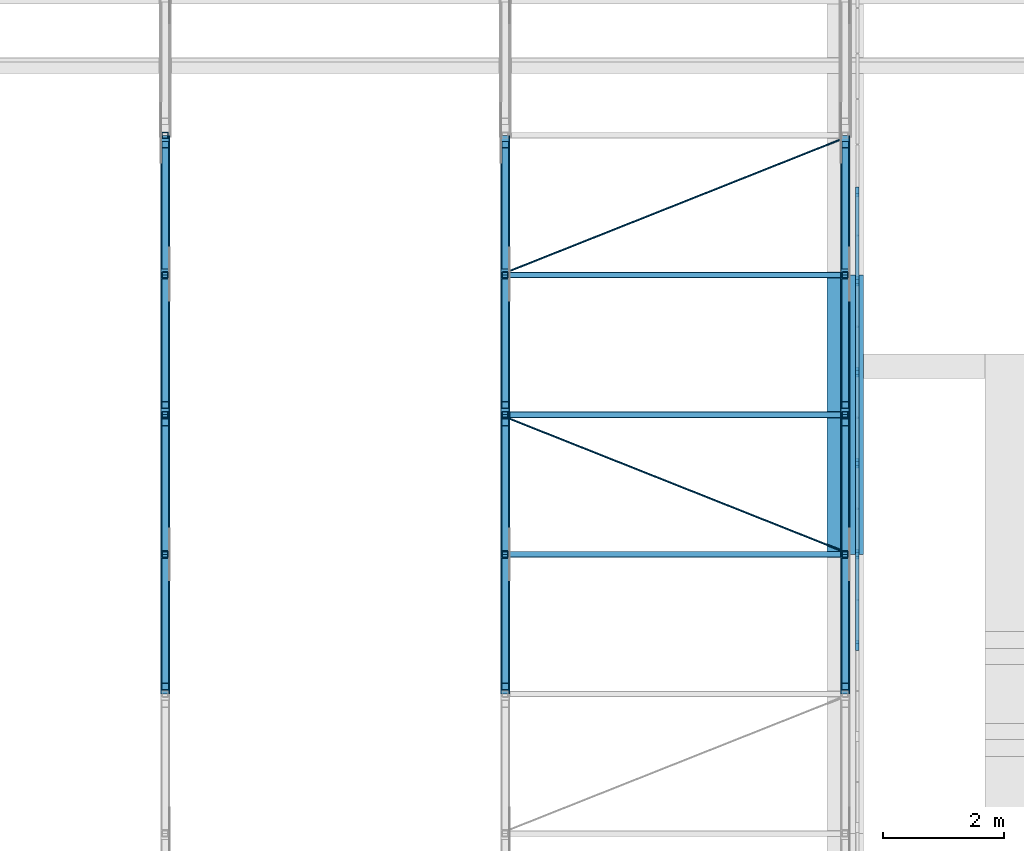
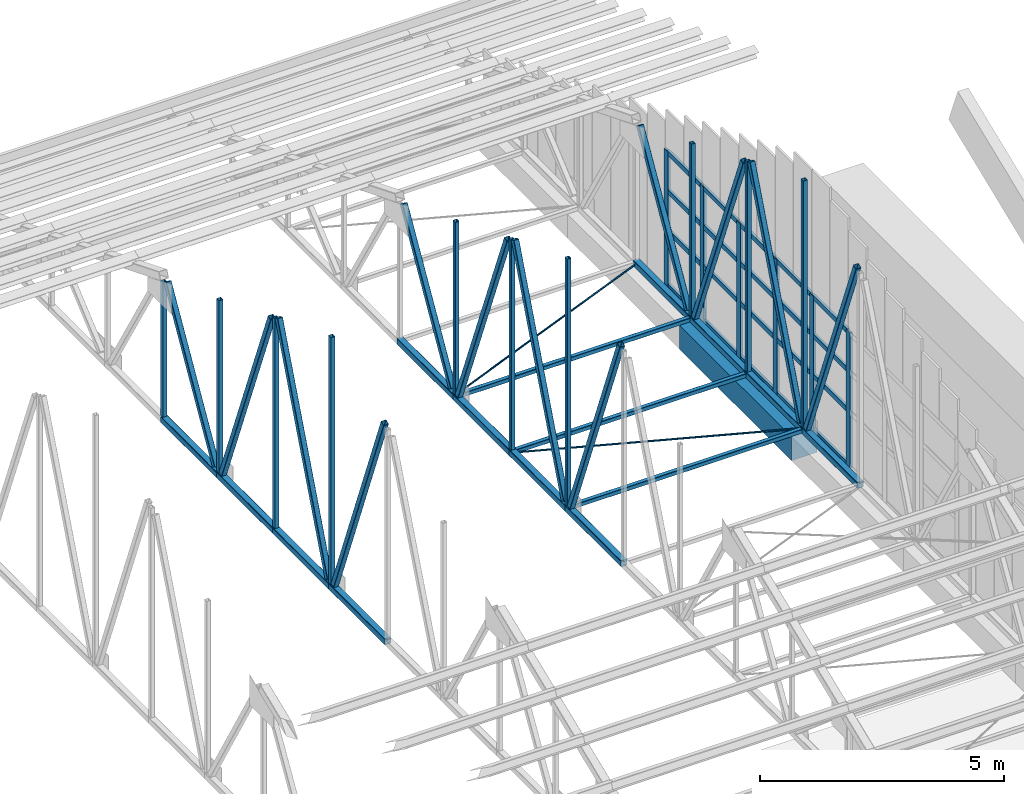
# One storey, part 25 of 71: 65 members, 1 beam, 1 element without a shape of its own.
"""IFC4 building model written with IfcOpenShell, lengths in metres."""

from ifc_helpers import new_model, si_unit, direction, frame, origin, origin_2d, place, context, subcontext, project, spatial, rectangle, hollow_rectangle, circle, extrude, material, layer, layer_set, material_profile, profile_set, type_object, element, aggregate, save


model = new_model("IFC4")

# Units and contexts
model_context = context("Model", 3, precision=1e-05, world=origin(), true_north=direction((0.0, 1.0)))
body_context = subcontext(model_context, "Body", "Model", "MODEL_VIEW")
ifc_project = project(units=[si_unit("LENGTHUNIT", "METRE"), si_unit("AREAUNIT", "SQUARE_METRE"), si_unit("VOLUMEUNIT", "CUBIC_METRE"), si_unit("PLANEANGLEUNIT", "RADIAN"), si_unit("MASSUNIT", "GRAM", prefix="KILO")], contexts=[model_context])

# Site, building, storey
site_placement = place(None, origin())
site = spatial("IfcSite", under=ifc_project, at=site_placement, CompositionType="ELEMENT")
building_placement = place(site_placement, origin())
building = spatial("IfcBuilding", under=site, at=building_placement, Name="Wasatch Bagh Community Centre", CompositionType="ELEMENT")
storey_placement = place(building_placement, frame((0.0, 0.0, 12.60009765625)))
storey = spatial("IfcBuildingStorey", under=building, at=storey_placement, Name="L03", CompositionType="ELEMENT", Elevation=12.60009765625)

# Members
ifc_material_1 = material(Name="ASTM A500 Grade C steel", Category="steel")
ifc_material_profile_1 = material_profile(ifc_material_1, hollow_rectangle(XDim=0.1015625, YDim=0.1015625, WallThickness=0.005859375, InnerFilletRadius=0.005859375, OuterFilletRadius=0.01171875, at=origin_2d()), Name="HSS4x4x1/4")
ifc_profile_set_1 = profile_set([ifc_material_profile_1], Name="ASTM A500 Grade C steel")
member_type_1 = type_object("IfcMemberType", Name="SH HSS4x4x1/4 post", PredefinedType="POST", material=ifc_profile_set_1)
member_1_placement = place(storey_placement, frame((134.60009765625, 52.0, 0.76220703125), z_axis=(0.0, 0.0, 1.0), x_axis=(1.0, 0.0, 0.0)))
element("IfcMember", 1, at=member_1_placement, inside=storey, type_object=member_type_1, Name="SH.SA5.PS07", PredefinedType="POST", context=body_context, shape_type="SweptSolid", body=[
    extrude(hollow_rectangle(XDim=0.1015625, YDim=0.1015625, WallThickness=0.005859375, InnerFilletRadius=0.005859375, OuterFilletRadius=0.01171875, at=origin_2d()), origin(), (0.0, 0.0, 1.0), 6.18310546875),
])
member_2_placement = place(storey_placement, frame((134.60009765625, 54.300048828125, 0.76220703125), z_axis=(0.0, 0.0, 1.0), x_axis=(1.0, 0.0, 0.0)))
element("IfcMember", 2, at=member_2_placement, inside=storey, type_object=member_type_1, Name="SH.SA5.PS08", PredefinedType="POST", context=body_context, shape_type="SweptSolid", body=[
    extrude(hollow_rectangle(XDim=0.1015625, YDim=0.1015625, WallThickness=0.005859375, InnerFilletRadius=0.005859375, OuterFilletRadius=0.01171875, at=origin_2d()), origin(), (0.0, 0.0, 1.0), 5.25341796875),
])
member_3_placement = place(storey_placement, frame((134.60009765625, 56.60009765625, 0.76220703125), z_axis=(0.0, 0.0, 1.0), x_axis=(1.0, 0.0, 0.0)))
element("IfcMember", 3, at=member_3_placement, inside=storey, type_object=member_type_1, Name="SH.SA5.PS09", PredefinedType="POST", context=body_context, shape_type="SweptSolid", body=[
    extrude(hollow_rectangle(XDim=0.1015625, YDim=0.1015625, WallThickness=0.005859375, InnerFilletRadius=0.005859375, OuterFilletRadius=0.01171875, at=origin_2d()), origin(), (0.0, 0.0, 1.0), 4.316162109375),
])
member_4_placement = place(storey_placement, frame((134.60009765625, 58.89990234375, 0.76220703125), z_axis=(0.0, 0.0, 1.0), x_axis=(1.0, 0.0, 0.0)))
element("IfcMember", 4, at=member_4_placement, inside=storey, type_object=member_type_1, Name="SH.SA5.PS10", PredefinedType="POST", context=body_context, shape_type="SweptSolid", body=[
    extrude(hollow_rectangle(XDim=0.1015625, YDim=0.1015625, WallThickness=0.005859375, InnerFilletRadius=0.005859375, OuterFilletRadius=0.01171875, at=origin_2d()), origin(), (0.0, 0.0, 1.0), 3.37890625),
])
member_5_placement = place(storey_placement, frame((140.199951171875, 52.0, 0.76220703125), z_axis=(0.0, 0.0, 1.0), x_axis=(1.0, 0.0, 0.0)))
element("IfcMember", 5, at=member_5_placement, inside=storey, type_object=member_type_1, Name="SH.SA6.PS07", PredefinedType="POST", context=body_context, shape_type="SweptSolid", body=[
    extrude(hollow_rectangle(XDim=0.1015625, YDim=0.1015625, WallThickness=0.005859375, InnerFilletRadius=0.005859375, OuterFilletRadius=0.01171875, at=origin_2d()), origin(), (0.0, 0.0, 1.0), 6.18310546875),
])
member_6_placement = place(storey_placement, frame((140.199951171875, 54.300048828125, 0.76220703125), z_axis=(0.0, 0.0, 1.0), x_axis=(1.0, 0.0, 0.0)))
element("IfcMember", 6, at=member_6_placement, inside=storey, type_object=member_type_1, Name="SH.SA6.PS08", PredefinedType="POST", context=body_context, shape_type="SweptSolid", body=[
    extrude(hollow_rectangle(XDim=0.1015625, YDim=0.1015625, WallThickness=0.005859375, InnerFilletRadius=0.005859375, OuterFilletRadius=0.01171875, at=origin_2d()), origin(), (0.0, 0.0, 1.0), 5.25341796875),
])
member_7_placement = place(storey_placement, frame((140.199951171875, 56.60009765625, 0.76220703125), z_axis=(0.0, 0.0, 1.0), x_axis=(1.0, 0.0, 0.0)))
element("IfcMember", 7, at=member_7_placement, inside=storey, type_object=member_type_1, Name="SH.SA6.PS09", PredefinedType="POST", context=body_context, shape_type="SweptSolid", body=[
    extrude(hollow_rectangle(XDim=0.1015625, YDim=0.1015625, WallThickness=0.005859375, InnerFilletRadius=0.005859375, OuterFilletRadius=0.01171875, at=origin_2d()), origin(), (0.0, 0.0, 1.0), 4.316162109375),
])
member_8_placement = place(storey_placement, frame((145.800048828125, 52.0, 0.76220703125), z_axis=(0.0, 0.0, 1.0), x_axis=(1.0, 0.0, 0.0)))
element("IfcMember", 8, at=member_8_placement, inside=storey, type_object=member_type_1, Name="SH.SA7.PS07", PredefinedType="POST", context=body_context, shape_type="SweptSolid", body=[
    extrude(hollow_rectangle(XDim=0.1015625, YDim=0.1015625, WallThickness=0.005859375, InnerFilletRadius=0.005859375, OuterFilletRadius=0.01171875, at=origin_2d()), origin(), (0.0, 0.0, 1.0), 6.18310546875),
])
member_9_placement = place(storey_placement, frame((145.800048828125, 54.300048828125, 0.76220703125), z_axis=(0.0, 0.0, 1.0), x_axis=(1.0, 0.0, 0.0)))
element("IfcMember", 9, at=member_9_placement, inside=storey, type_object=member_type_1, Name="SH.SA7.PS08", PredefinedType="POST", context=body_context, shape_type="SweptSolid", body=[
    extrude(hollow_rectangle(XDim=0.1015625, YDim=0.1015625, WallThickness=0.005859375, InnerFilletRadius=0.005859375, OuterFilletRadius=0.01171875, at=origin_2d()), origin(), (0.0, 0.0, 1.0), 5.25341796875),
])
member_10_placement = place(storey_placement, frame((145.800048828125, 56.60009765625, 0.76220703125), z_axis=(0.0, 0.0, 1.0), x_axis=(1.0, 0.0, 0.0)))
element("IfcMember", 10, at=member_10_placement, inside=storey, type_object=member_type_1, Name="SH.SA7.PS09", PredefinedType="POST", context=body_context, shape_type="SweptSolid", body=[
    extrude(hollow_rectangle(XDim=0.1015625, YDim=0.1015625, WallThickness=0.005859375, InnerFilletRadius=0.005859375, OuterFilletRadius=0.01171875, at=origin_2d()), origin(), (0.0, 0.0, 1.0), 4.316162109375),
])
ifc_material_profile_2 = material_profile(ifc_material_1, hollow_rectangle(XDim=0.1015625, YDim=0.1015625, WallThickness=0.005859375, InnerFilletRadius=0.005859375, OuterFilletRadius=0.01171875, at=origin_2d()), Name="HSS4x4x1/4")
ifc_profile_set_2 = profile_set([ifc_material_profile_2], Name="ASTM A500 Grade C steel")
member_type_2 = type_object("IfcMemberType", Name="SH HSS4x4x1/4 strut", PredefinedType="STRUT", material=ifc_profile_set_2)
for number, where, z_axis, x_axis, name in (
    (11, (140.27001953125, 52.0, 0.68603515625), (1.0, 0.0, 0.0), (0.0, 1.0, 0.0), "SH.BR.eB.ST07W"),
    (12, (140.27001953125, 54.300048828125, 0.68603515625), (1.0, 0.0, 0.0), (0.0, 1.0, 0.0), "SH.BR.eB.ST07E"),
    (13, (140.27001953125, 56.60009765625, 0.68603515625), (1.0, 0.0, 0.0), (0.0, 1.0, 0.0), "SH.BR.eB.ST09W"),
):
    element("IfcMember", number, at=place(storey_placement, frame(where, z_axis=z_axis, x_axis=x_axis)), inside=storey, type_object=member_type_2, Name=name, PredefinedType="STRUT", context=body_context, shape_type="SweptSolid", body=[
        extrude(hollow_rectangle(XDim=0.1015625, YDim=0.1015625, WallThickness=0.005859375, InnerFilletRadius=0.005859375, OuterFilletRadius=0.01171875, at=origin_2d()), origin(), (0.0, 0.0, 1.0), 5.4599609375),
    ])
ifc_material_profile_3 = material_profile(ifc_material_1, hollow_rectangle(XDim=0.126953125, YDim=0.126953125, WallThickness=0.00732421875, InnerFilletRadius=0.00732421875, OuterFilletRadius=0.0146484375, at=origin_2d()), Name="HSS5x5x5/16")
ifc_profile_set_3 = profile_set([ifc_material_profile_3], Name="ASTM A500 Grade C steel")
member_type_3 = type_object("IfcMemberType", Name="SH HSS5x5x5/16 brace", PredefinedType="BRACE", material=ifc_profile_set_3)
for number, where, z_axis, x_axis, name in (
    (14, (134.60009765625, 51.875732421875, 0.78564453125), (0.0, -0.361168854057, 0.932500433705), (1.0, 0.0, 0.0), "SH.SA5.WB06"),
    (15, (134.60009765625, 52.124267578125, 0.78564453125), (0.0, 0.361168854057, 0.932500433705), (-1.0, 0.0, 0.0), "SH.SA5.WB07"),
):
    element("IfcMember", number, at=place(storey_placement, frame(where, z_axis=z_axis, x_axis=x_axis)), inside=storey, type_object=member_type_3, Name=name, PredefinedType="BRACE", context=body_context, shape_type="SweptSolid", body=[
        extrude(hollow_rectangle(XDim=0.126953125, YDim=0.126953125, WallThickness=0.00732421875, InnerFilletRadius=0.00732421875, OuterFilletRadius=0.0146484375, at=origin_2d()), origin(), (0.0, 0.0, 1.0), 5.682861328125),
    ])
member_11_placement = place(storey_placement, frame((134.60009765625, 56.47509765625, 0.785888671875), z_axis=(0.0, -0.365198017435, 0.930929862053), x_axis=(1.0, 0.0, 0.0)))
element("IfcMember", 16, at=member_11_placement, inside=storey, type_object=member_type_3, Name="SH.SA5.WB08", PredefinedType="BRACE", context=body_context, shape_type="SweptSolid", body=[
    extrude(hollow_rectangle(XDim=0.126953125, YDim=0.126953125, WallThickness=0.00732421875, InnerFilletRadius=0.00732421875, OuterFilletRadius=0.0146484375, at=origin_2d()), origin(), (0.0, 0.0, 1.0), 5.52001953125),
])
member_12_placement = place(storey_placement, frame((134.60009765625, 56.75244140625, 0.794677734375), z_axis=(0.0, 0.50383651599, 0.863799030536), x_axis=(-1.0, 0.0, 0.0)))
element("IfcMember", 17, at=member_12_placement, inside=storey, type_object=member_type_3, Name="SH.SA5.WB09", PredefinedType="BRACE", context=body_context, shape_type="SweptSolid", body=[
    extrude(hollow_rectangle(XDim=0.126953125, YDim=0.126953125, WallThickness=0.00732421875, InnerFilletRadius=0.00732421875, OuterFilletRadius=0.0146484375, at=origin_2d()), origin(), (0.0, 0.0, 1.0), 3.958984375),
])
for number, where, z_axis, x_axis, name in (
    (18, (140.199951171875, 51.875732421875, 0.78564453125), (0.0, -0.361168854057, 0.932500433705), (1.0, 0.0, 0.0), "SH.SA6.WB06"),
    (19, (140.199951171875, 52.124267578125, 0.78564453125), (0.0, 0.361168854057, 0.932500433705), (-1.0, 0.0, 0.0), "SH.SA6.WB07"),
):
    element("IfcMember", number, at=place(storey_placement, frame(where, z_axis=z_axis, x_axis=x_axis)), inside=storey, type_object=member_type_3, Name=name, PredefinedType="BRACE", context=body_context, shape_type="SweptSolid", body=[
        extrude(hollow_rectangle(XDim=0.126953125, YDim=0.126953125, WallThickness=0.00732421875, InnerFilletRadius=0.00732421875, OuterFilletRadius=0.0146484375, at=origin_2d()), origin(), (0.0, 0.0, 1.0), 5.682861328125),
    ])
member_13_placement = place(storey_placement, frame((140.199951171875, 56.47509765625, 0.785888671875), z_axis=(0.0, -0.365198017435, 0.930929862053), x_axis=(1.0, 0.0, 0.0)))
element("IfcMember", 20, at=member_13_placement, inside=storey, type_object=member_type_3, Name="SH.SA6.WB08", PredefinedType="BRACE", context=body_context, shape_type="SweptSolid", body=[
    extrude(hollow_rectangle(XDim=0.126953125, YDim=0.126953125, WallThickness=0.00732421875, InnerFilletRadius=0.00732421875, OuterFilletRadius=0.0146484375, at=origin_2d()), origin(), (0.0, 0.0, 1.0), 5.52001953125),
])
member_14_placement = place(storey_placement, frame((140.199951171875, 56.75244140625, 0.794677734375), z_axis=(0.0, 0.50383651599, 0.863799030536), x_axis=(-1.0, 0.0, 0.0)))
element("IfcMember", 21, at=member_14_placement, inside=storey, type_object=member_type_3, Name="SH.SA6.WB09", PredefinedType="BRACE", context=body_context, shape_type="SweptSolid", body=[
    extrude(hollow_rectangle(XDim=0.126953125, YDim=0.126953125, WallThickness=0.00732421875, InnerFilletRadius=0.00732421875, OuterFilletRadius=0.0146484375, at=origin_2d()), origin(), (0.0, 0.0, 1.0), 3.958984375),
])
for number, where, z_axis, x_axis, name in (
    (22, (145.800048828125, 51.875732421875, 0.78564453125), (0.0, -0.361168854057, 0.932500433705), (1.0, 0.0, 0.0), "SH.SA7.WB06"),
    (23, (145.800048828125, 52.124267578125, 0.78564453125), (0.0, 0.361168854057, 0.932500433705), (-1.0, 0.0, 0.0), "SH.SA7.WB07"),
):
    element("IfcMember", number, at=place(storey_placement, frame(where, z_axis=z_axis, x_axis=x_axis)), inside=storey, type_object=member_type_3, Name=name, PredefinedType="BRACE", context=body_context, shape_type="SweptSolid", body=[
        extrude(hollow_rectangle(XDim=0.126953125, YDim=0.126953125, WallThickness=0.00732421875, InnerFilletRadius=0.00732421875, OuterFilletRadius=0.0146484375, at=origin_2d()), origin(), (0.0, 0.0, 1.0), 5.682861328125),
    ])
member_15_placement = place(storey_placement, frame((145.800048828125, 56.47509765625, 0.785888671875), z_axis=(0.0, -0.365198017435, 0.930929862053), x_axis=(1.0, 0.0, 0.0)))
element("IfcMember", 24, at=member_15_placement, inside=storey, type_object=member_type_3, Name="SH.SA7.WB08", PredefinedType="BRACE", context=body_context, shape_type="SweptSolid", body=[
    extrude(hollow_rectangle(XDim=0.126953125, YDim=0.126953125, WallThickness=0.00732421875, InnerFilletRadius=0.00732421875, OuterFilletRadius=0.0146484375, at=origin_2d()), origin(), (0.0, 0.0, 1.0), 5.52001953125),
])
member_16_placement = place(storey_placement, frame((145.800048828125, 56.75244140625, 0.794677734375), z_axis=(0.0, 0.50383651599, 0.863799030536), x_axis=(-1.0, 0.0, 0.0)))
element("IfcMember", 25, at=member_16_placement, inside=storey, type_object=member_type_3, Name="SH.SA7.WB09", PredefinedType="BRACE", context=body_context, shape_type="SweptSolid", body=[
    extrude(hollow_rectangle(XDim=0.126953125, YDim=0.126953125, WallThickness=0.00732421875, InnerFilletRadius=0.00732421875, OuterFilletRadius=0.0146484375, at=origin_2d()), origin(), (0.0, 0.0, 1.0), 3.958984375),
])
ifc_material_profile_4 = material_profile(ifc_material_1, hollow_rectangle(XDim=0.15234375, YDim=0.15234375, WallThickness=0.0087890625, InnerFilletRadius=0.0087890625, OuterFilletRadius=0.017822265625, at=origin_2d()), Name="HSS6x6x3/8")
ifc_profile_set_4 = profile_set([ifc_material_profile_4], Name="ASTM A500 Grade C steel")
member_type_4 = type_object("IfcMemberType", Name="SH HSS6x6x3/8 chord", PredefinedType="CHORD", material=ifc_profile_set_4)
for number, where, z_axis, x_axis, name in (
    (26, (134.60009765625, 49.699951171875, 0.68603515625), (0.0, 1.0, 0.0), (-1.0, 0.0, 0.0), "SH.SA5.BC06"),
    (27, (134.60009765625, 52.0, 0.68603515625), (0.0, 1.0, 0.0), (-1.0, 0.0, 0.0), "SH.SA5.BC07"),
    (28, (134.60009765625, 54.300048828125, 0.68603515625), (0.0, 1.0, 0.0), (-1.0, 0.0, 0.0), "SH.SA5.BC08"),
):
    element("IfcMember", number, at=place(storey_placement, frame(where, z_axis=z_axis, x_axis=x_axis)), inside=storey, type_object=member_type_4, Name=name, PredefinedType="CHORD", context=body_context, shape_type="SweptSolid", body=[
        extrude(hollow_rectangle(XDim=0.15234375, YDim=0.15234375, WallThickness=0.0087890625, InnerFilletRadius=0.0087890625, OuterFilletRadius=0.017822265625, at=origin_2d()), origin(), (0.0, 0.0, 1.0), 2.300048828125),
    ])
member_17_placement = place(storey_placement, frame((134.60009765625, 56.60009765625, 0.68603515625), z_axis=(0.0, 1.0, 0.0), x_axis=(-1.0, 0.0, 0.0)))
element("IfcMember", 29, at=member_17_placement, inside=storey, type_object=member_type_4, Name="SH.SA5.BC09", PredefinedType="CHORD", context=body_context, shape_type="SweptSolid", body=[
    extrude(hollow_rectangle(XDim=0.15234375, YDim=0.15234375, WallThickness=0.0087890625, InnerFilletRadius=0.0087890625, OuterFilletRadius=0.017822265625, at=origin_2d()), origin(), (0.0, 0.0, 1.0), 2.2998046875),
])
for number, where, z_axis, x_axis, name in (
    (30, (140.199951171875, 49.699951171875, 0.68603515625), (0.0, 1.0, 0.0), (-1.0, 0.0, 0.0), "SH.SA6.BC06"),
    (31, (140.199951171875, 52.0, 0.68603515625), (0.0, 1.0, 0.0), (-1.0, 0.0, 0.0), "SH.SA6.BC07"),
    (32, (140.199951171875, 54.300048828125, 0.68603515625), (0.0, 1.0, 0.0), (-1.0, 0.0, 0.0), "SH.SA6.BC08"),
):
    element("IfcMember", number, at=place(storey_placement, frame(where, z_axis=z_axis, x_axis=x_axis)), inside=storey, type_object=member_type_4, Name=name, PredefinedType="CHORD", context=body_context, shape_type="SweptSolid", body=[
        extrude(hollow_rectangle(XDim=0.15234375, YDim=0.15234375, WallThickness=0.0087890625, InnerFilletRadius=0.0087890625, OuterFilletRadius=0.017822265625, at=origin_2d()), origin(), (0.0, 0.0, 1.0), 2.300048828125),
    ])
member_18_placement = place(storey_placement, frame((140.199951171875, 56.60009765625, 0.68603515625), z_axis=(0.0, 1.0, 0.0), x_axis=(-1.0, 0.0, 0.0)))
element("IfcMember", 33, at=member_18_placement, inside=storey, type_object=member_type_4, Name="SH.SA6.BC09", PredefinedType="CHORD", context=body_context, shape_type="SweptSolid", body=[
    extrude(hollow_rectangle(XDim=0.15234375, YDim=0.15234375, WallThickness=0.0087890625, InnerFilletRadius=0.0087890625, OuterFilletRadius=0.017822265625, at=origin_2d()), origin(), (0.0, 0.0, 1.0), 2.2998046875),
])
for number, where, z_axis, x_axis, name in (
    (34, (145.800048828125, 49.699951171875, 0.68603515625), (0.0, 1.0, 0.0), (-1.0, 0.0, 0.0), "SH.SA7.BC06"),
    (35, (145.800048828125, 52.0, 0.68603515625), (0.0, 1.0, 0.0), (-1.0, 0.0, 0.0), "SH.SA7.BC07"),
    (36, (145.800048828125, 54.300048828125, 0.68603515625), (0.0, 1.0, 0.0), (-1.0, 0.0, 0.0), "SH.SA7.BC08"),
):
    element("IfcMember", number, at=place(storey_placement, frame(where, z_axis=z_axis, x_axis=x_axis)), inside=storey, type_object=member_type_4, Name=name, PredefinedType="CHORD", context=body_context, shape_type="SweptSolid", body=[
        extrude(hollow_rectangle(XDim=0.15234375, YDim=0.15234375, WallThickness=0.0087890625, InnerFilletRadius=0.0087890625, OuterFilletRadius=0.017822265625, at=origin_2d()), origin(), (0.0, 0.0, 1.0), 2.300048828125),
    ])
member_19_placement = place(storey_placement, frame((145.800048828125, 56.60009765625, 0.68603515625), z_axis=(0.0, 1.0, 0.0), x_axis=(-1.0, 0.0, 0.0)))
element("IfcMember", 37, at=member_19_placement, inside=storey, type_object=member_type_4, Name="SH.SA7.BC09", PredefinedType="CHORD", context=body_context, shape_type="SweptSolid", body=[
    extrude(hollow_rectangle(XDim=0.15234375, YDim=0.15234375, WallThickness=0.0087890625, InnerFilletRadius=0.0087890625, OuterFilletRadius=0.017822265625, at=origin_2d()), origin(), (0.0, 0.0, 1.0), 2.2998046875),
])

# Beam
ifc_material_2 = material(Name="Concrete C40", Category="concrete")
ifc_material_profile_5 = material_profile(ifc_material_2, rectangle(XDim=0.60009765625, YDim=0.60009765625, at=origin_2d()), Name="RC 600x600")
ifc_profile_set_5 = profile_set([ifc_material_profile_5], Name="Concrete C40")
beam_type = type_object("IfcBeamType", Name="SH RC 600x600 beam", PredefinedType="BEAM", material=ifc_profile_set_5)
beam_placement = place(storey_placement, frame((145.800048828125, 52.0, 0.2998046875), z_axis=(0.0, 1.0, 0.0), x_axis=(-1.0, 0.0, 0.0)))
element("IfcBeam", 38, at=beam_placement, inside=storey, type_object=beam_type, Name="SH.beam.L03.ring22", PredefinedType="BEAM", context=body_context, shape_type="SweptSolid", body=[
    extrude(rectangle(XDim=0.60009765625, YDim=0.60009765625, at=origin_2d()), origin(), (0.0, 0.0, 1.0), 4.60009765625),
])

# Members
ifc_material_3 = material(Name="ASTM A572 Grade 50 steel", Category="steel")
ifc_material_profile_6 = material_profile(ifc_material_3, circle(Radius=0.01611328125, at=origin_2d()), Name="ROD 32")
ifc_profile_set_6 = profile_set([ifc_material_profile_6], Name="ASTM A572 Grade 50 steel")
member_type_5 = type_object("IfcMemberType", Name="SH ROD 32 brace", PredefinedType="BRACE", material=ifc_profile_set_6)
member_20_placement = place(storey_placement, frame((140.27587890625, 54.232177734375, 0.68603515625), z_axis=(0.929355805049, -0.369185302553, 0.0), x_axis=(0.369185302553, 0.929355805049, 0.0)))
element("IfcMember", 39, at=member_20_placement, inside=storey, type_object=member_type_5, Name="SH.BR.eB.DG07", PredefinedType="BRACE", context=body_context, shape_type="SweptSolid", body=[
    extrude(circle(Radius=0.01611328125, at=origin_2d()), origin(), (0.0, 0.0, 1.0), 5.8623046875),
])
member_21_placement = place(storey_placement, frame((140.27587890625, 56.667724609375, 0.68603515625), z_axis=(0.929341515894, 0.369221270833, 0.0), x_axis=(-0.369221270833, 0.929341515894, 0.0)))
element("IfcMember", 40, at=member_21_placement, inside=storey, type_object=member_type_5, Name="SH.BR.eB.DG09", PredefinedType="BRACE", context=body_context, shape_type="SweptSolid", body=[
    extrude(circle(Radius=0.01611328125, at=origin_2d()), origin(), (0.0, 0.0, 1.0), 5.862548828125),
])

# Curtain wall, members
ifc_material_4 = material(Name="Aluminium alloy 6063-T6", Category="aluminium")
ifc_layer = layer(ifc_material_4, 0.10009765625)
ifc_layer_set = layer_set([ifc_layer], Name="Aluminium alloy 6063-T6")
curtain_wall_type = type_object("IfcCurtainWallType", Name="SH-CW2", PredefinedType="NOTDEFINED", material=ifc_layer_set)
curtain_wall_placement = place(storey_placement, origin())
curtain_wall = element("IfcCurtainWall", 41, at=curtain_wall_placement, inside=storey, type_object=curtain_wall_type, Name="Curtain wall SH-CW2", PredefinedType="NOTDEFINED")
ifc_material_profile_7 = material_profile(ifc_material_4, rectangle(XDim=0.06005859375, YDim=0.159912109375, at=origin_2d()), Name="AL 60x160")
ifc_profile_set_7 = profile_set([ifc_material_profile_7], Name="Aluminium alloy 6063-T6")
member_type_6 = type_object("IfcMemberType", Name="SH-CW2 mullion", PredefinedType="MULLION", material=ifc_profile_set_7)
member_22_placement = place(storey_placement, frame((146.0, 50.5, 0.599853515625), z_axis=(0.0, 0.0, 1.0), x_axis=(-1.0, 0.0, 0.0)))
member_22 = element("IfcMember", 42, at=member_22_placement, type_object=member_type_6, Name="SH-CW2 mullion 4", PredefinedType="MULLION", context=body_context, shape_type="SweptSolid", body=[
    extrude(rectangle(XDim=0.06005859375, YDim=0.159912109375, at=origin_2d()), origin(), (0.0, 0.0, 1.0), 3.400146484375),
])
member_23_placement = place(storey_placement, frame((146.0, 52.0, 0.599853515625), z_axis=(0.0, 0.0, 1.0), x_axis=(-1.0, 0.0, 0.0)))
member_23 = element("IfcMember", 43, at=member_23_placement, type_object=member_type_6, Name="SH-CW2 mullion 5", PredefinedType="MULLION", context=body_context, shape_type="SweptSolid", body=[
    extrude(rectangle(XDim=0.06005859375, YDim=0.159912109375, at=origin_2d()), origin(), (0.0, 0.0, 1.0), 3.400146484375),
])
member_24_placement = place(storey_placement, frame((146.0, 53.5, 0.599853515625), z_axis=(0.0, 0.0, 1.0), x_axis=(-1.0, 0.0, 0.0)))
member_24 = element("IfcMember", 44, at=member_24_placement, type_object=member_type_6, Name="SH-CW2 mullion 6", PredefinedType="MULLION", context=body_context, shape_type="SweptSolid", body=[
    extrude(rectangle(XDim=0.06005859375, YDim=0.159912109375, at=origin_2d()), origin(), (0.0, 0.0, 1.0), 3.400146484375),
])
member_25_placement = place(storey_placement, frame((146.0, 55.0, 0.599853515625), z_axis=(0.0, 0.0, 1.0), x_axis=(-1.0, 0.0, 0.0)))
member_25 = element("IfcMember", 45, at=member_25_placement, type_object=member_type_6, Name="SH-CW2 mullion 7", PredefinedType="MULLION", context=body_context, shape_type="SweptSolid", body=[
    extrude(rectangle(XDim=0.06005859375, YDim=0.159912109375, at=origin_2d()), origin(), (0.0, 0.0, 1.0), 3.400146484375),
])
member_26_placement = place(storey_placement, frame((146.0, 56.5, 0.599853515625), z_axis=(0.0, 0.0, 1.0), x_axis=(-1.0, 0.0, 0.0)))
member_26 = element("IfcMember", 46, at=member_26_placement, type_object=member_type_6, Name="SH-CW2 mullion 8", PredefinedType="MULLION", context=body_context, shape_type="SweptSolid", body=[
    extrude(rectangle(XDim=0.06005859375, YDim=0.159912109375, at=origin_2d()), origin(), (0.0, 0.0, 1.0), 3.400146484375),
])
member_27_placement = place(storey_placement, frame((146.0, 57.969970703125, 0.599853515625), z_axis=(0.0, 0.0, 1.0), x_axis=(-1.0, 0.0, 0.0)))
member_27 = element("IfcMember", 47, at=member_27_placement, type_object=member_type_6, Name="SH-CW2 mullion 9", PredefinedType="MULLION", context=body_context, shape_type="SweptSolid", body=[
    extrude(rectangle(XDim=0.06005859375, YDim=0.159912109375, at=origin_2d()), origin(), (0.0, 0.0, 1.0), 3.400146484375),
])
ifc_material_profile_8 = material_profile(ifc_material_4, rectangle(XDim=0.06005859375, YDim=0.1201171875, at=origin_2d()), Name="AL 60x120")
ifc_profile_set_8 = profile_set([ifc_material_profile_8], Name="Aluminium alloy 6063-T6")
member_type_7 = type_object("IfcMemberType", Name="SH-CW2 transom", PredefinedType="USERDEFINED", material=ifc_profile_set_8)
member_28_placement = place(storey_placement, frame((146.0, 50.530029296875, 0.6298828125), z_axis=(0.0, 1.0, 0.0), x_axis=(-1.0, 0.0, 0.0)))
member_28 = element("IfcMember", 48, at=member_28_placement, type_object=member_type_7, Name="SH-CW2 transom 4.1", ObjectType="TRANSOM", PredefinedType="USERDEFINED", context=body_context, shape_type="SweptSolid", body=[
    extrude(rectangle(XDim=0.06005859375, YDim=0.1201171875, at=origin_2d()), origin(), (0.0, 0.0, 1.0), 1.43994140625),
])
member_29_placement = place(storey_placement, frame((146.0, 50.530029296875, 2.0), z_axis=(0.0, 1.0, 0.0), x_axis=(-1.0, 0.0, 0.0)))
member_29 = element("IfcMember", 49, at=member_29_placement, type_object=member_type_7, Name="SH-CW2 transom 4.2", ObjectType="TRANSOM", PredefinedType="USERDEFINED", context=body_context, shape_type="SweptSolid", body=[
    extrude(rectangle(XDim=0.06005859375, YDim=0.1201171875, at=origin_2d()), origin(), (0.0, 0.0, 1.0), 1.43994140625),
])
member_30_placement = place(storey_placement, frame((146.0, 50.530029296875, 3.0), z_axis=(0.0, 1.0, 0.0), x_axis=(-1.0, 0.0, 0.0)))
member_30 = element("IfcMember", 50, at=member_30_placement, type_object=member_type_7, Name="SH-CW2 transom 4.3", ObjectType="TRANSOM", PredefinedType="USERDEFINED", context=body_context, shape_type="SweptSolid", body=[
    extrude(rectangle(XDim=0.06005859375, YDim=0.1201171875, at=origin_2d()), origin(), (0.0, 0.0, 1.0), 1.43994140625),
])
member_31_placement = place(storey_placement, frame((146.0, 50.530029296875, 3.969970703125), z_axis=(0.0, 1.0, 0.0), x_axis=(-1.0, 0.0, 0.0)))
member_31 = element("IfcMember", 51, at=member_31_placement, type_object=member_type_7, Name="SH-CW2 transom 4.4", ObjectType="TRANSOM", PredefinedType="USERDEFINED", context=body_context, shape_type="SweptSolid", body=[
    extrude(rectangle(XDim=0.06005859375, YDim=0.1201171875, at=origin_2d()), origin(), (0.0, 0.0, 1.0), 1.43994140625),
])
member_32_placement = place(storey_placement, frame((146.0, 52.030029296875, 0.6298828125), z_axis=(0.0, 1.0, 0.0), x_axis=(-1.0, 0.0, 0.0)))
member_32 = element("IfcMember", 52, at=member_32_placement, type_object=member_type_7, Name="SH-CW2 transom 5.1", ObjectType="TRANSOM", PredefinedType="USERDEFINED", context=body_context, shape_type="SweptSolid", body=[
    extrude(rectangle(XDim=0.06005859375, YDim=0.1201171875, at=origin_2d()), origin(), (0.0, 0.0, 1.0), 1.43994140625),
])
member_33_placement = place(storey_placement, frame((146.0, 52.030029296875, 2.0), z_axis=(0.0, 1.0, 0.0), x_axis=(-1.0, 0.0, 0.0)))
member_33 = element("IfcMember", 53, at=member_33_placement, type_object=member_type_7, Name="SH-CW2 transom 5.2", ObjectType="TRANSOM", PredefinedType="USERDEFINED", context=body_context, shape_type="SweptSolid", body=[
    extrude(rectangle(XDim=0.06005859375, YDim=0.1201171875, at=origin_2d()), origin(), (0.0, 0.0, 1.0), 1.43994140625),
])
member_34_placement = place(storey_placement, frame((146.0, 52.030029296875, 3.0), z_axis=(0.0, 1.0, 0.0), x_axis=(-1.0, 0.0, 0.0)))
member_34 = element("IfcMember", 54, at=member_34_placement, type_object=member_type_7, Name="SH-CW2 transom 5.3", ObjectType="TRANSOM", PredefinedType="USERDEFINED", context=body_context, shape_type="SweptSolid", body=[
    extrude(rectangle(XDim=0.06005859375, YDim=0.1201171875, at=origin_2d()), origin(), (0.0, 0.0, 1.0), 1.43994140625),
])
member_35_placement = place(storey_placement, frame((146.0, 52.030029296875, 3.969970703125), z_axis=(0.0, 1.0, 0.0), x_axis=(-1.0, 0.0, 0.0)))
member_35 = element("IfcMember", 55, at=member_35_placement, type_object=member_type_7, Name="SH-CW2 transom 5.4", ObjectType="TRANSOM", PredefinedType="USERDEFINED", context=body_context, shape_type="SweptSolid", body=[
    extrude(rectangle(XDim=0.06005859375, YDim=0.1201171875, at=origin_2d()), origin(), (0.0, 0.0, 1.0), 1.43994140625),
])
member_36_placement = place(storey_placement, frame((146.0, 53.530029296875, 0.6298828125), z_axis=(0.0, 1.0, 0.0), x_axis=(-1.0, 0.0, 0.0)))
member_36 = element("IfcMember", 56, at=member_36_placement, type_object=member_type_7, Name="SH-CW2 transom 6.1", ObjectType="TRANSOM", PredefinedType="USERDEFINED", context=body_context, shape_type="SweptSolid", body=[
    extrude(rectangle(XDim=0.06005859375, YDim=0.1201171875, at=origin_2d()), origin(), (0.0, 0.0, 1.0), 1.43994140625),
])
member_37_placement = place(storey_placement, frame((146.0, 53.530029296875, 2.0), z_axis=(0.0, 1.0, 0.0), x_axis=(-1.0, 0.0, 0.0)))
member_37 = element("IfcMember", 57, at=member_37_placement, type_object=member_type_7, Name="SH-CW2 transom 6.2", ObjectType="TRANSOM", PredefinedType="USERDEFINED", context=body_context, shape_type="SweptSolid", body=[
    extrude(rectangle(XDim=0.06005859375, YDim=0.1201171875, at=origin_2d()), origin(), (0.0, 0.0, 1.0), 1.43994140625),
])
member_38_placement = place(storey_placement, frame((146.0, 53.530029296875, 3.0), z_axis=(0.0, 1.0, 0.0), x_axis=(-1.0, 0.0, 0.0)))
member_38 = element("IfcMember", 58, at=member_38_placement, type_object=member_type_7, Name="SH-CW2 transom 6.3", ObjectType="TRANSOM", PredefinedType="USERDEFINED", context=body_context, shape_type="SweptSolid", body=[
    extrude(rectangle(XDim=0.06005859375, YDim=0.1201171875, at=origin_2d()), origin(), (0.0, 0.0, 1.0), 1.43994140625),
])
member_39_placement = place(storey_placement, frame((146.0, 53.530029296875, 3.969970703125), z_axis=(0.0, 1.0, 0.0), x_axis=(-1.0, 0.0, 0.0)))
member_39 = element("IfcMember", 59, at=member_39_placement, type_object=member_type_7, Name="SH-CW2 transom 6.4", ObjectType="TRANSOM", PredefinedType="USERDEFINED", context=body_context, shape_type="SweptSolid", body=[
    extrude(rectangle(XDim=0.06005859375, YDim=0.1201171875, at=origin_2d()), origin(), (0.0, 0.0, 1.0), 1.43994140625),
])
member_40_placement = place(storey_placement, frame((146.0, 55.030029296875, 0.6298828125), z_axis=(0.0, 1.0, 0.0), x_axis=(-1.0, 0.0, 0.0)))
member_40 = element("IfcMember", 60, at=member_40_placement, type_object=member_type_7, Name="SH-CW2 transom 7.1", ObjectType="TRANSOM", PredefinedType="USERDEFINED", context=body_context, shape_type="SweptSolid", body=[
    extrude(rectangle(XDim=0.06005859375, YDim=0.1201171875, at=origin_2d()), origin(), (0.0, 0.0, 1.0), 1.43994140625),
])
member_41_placement = place(storey_placement, frame((146.0, 55.030029296875, 2.0), z_axis=(0.0, 1.0, 0.0), x_axis=(-1.0, 0.0, 0.0)))
member_41 = element("IfcMember", 61, at=member_41_placement, type_object=member_type_7, Name="SH-CW2 transom 7.2", ObjectType="TRANSOM", PredefinedType="USERDEFINED", context=body_context, shape_type="SweptSolid", body=[
    extrude(rectangle(XDim=0.06005859375, YDim=0.1201171875, at=origin_2d()), origin(), (0.0, 0.0, 1.0), 1.43994140625),
])
member_42_placement = place(storey_placement, frame((146.0, 55.030029296875, 3.0), z_axis=(0.0, 1.0, 0.0), x_axis=(-1.0, 0.0, 0.0)))
member_42 = element("IfcMember", 62, at=member_42_placement, type_object=member_type_7, Name="SH-CW2 transom 7.3", ObjectType="TRANSOM", PredefinedType="USERDEFINED", context=body_context, shape_type="SweptSolid", body=[
    extrude(rectangle(XDim=0.06005859375, YDim=0.1201171875, at=origin_2d()), origin(), (0.0, 0.0, 1.0), 1.43994140625),
])
member_43_placement = place(storey_placement, frame((146.0, 55.030029296875, 3.969970703125), z_axis=(0.0, 1.0, 0.0), x_axis=(-1.0, 0.0, 0.0)))
member_43 = element("IfcMember", 63, at=member_43_placement, type_object=member_type_7, Name="SH-CW2 transom 7.4", ObjectType="TRANSOM", PredefinedType="USERDEFINED", context=body_context, shape_type="SweptSolid", body=[
    extrude(rectangle(XDim=0.06005859375, YDim=0.1201171875, at=origin_2d()), origin(), (0.0, 0.0, 1.0), 1.43994140625),
])
member_44_placement = place(storey_placement, frame((146.0, 56.530029296875, 0.6298828125), z_axis=(0.0, 1.0, 0.0), x_axis=(-1.0, 0.0, 0.0)))
member_44 = element("IfcMember", 64, at=member_44_placement, type_object=member_type_7, Name="SH-CW2 transom 8.1", ObjectType="TRANSOM", PredefinedType="USERDEFINED", context=body_context, shape_type="SweptSolid", body=[
    extrude(rectangle(XDim=0.06005859375, YDim=0.1201171875, at=origin_2d()), origin(), (0.0, 0.0, 1.0), 1.409912109375),
])
member_45_placement = place(storey_placement, frame((146.0, 56.530029296875, 2.0), z_axis=(0.0, 1.0, 0.0), x_axis=(-1.0, 0.0, 0.0)))
member_45 = element("IfcMember", 65, at=member_45_placement, type_object=member_type_7, Name="SH-CW2 transom 8.2", ObjectType="TRANSOM", PredefinedType="USERDEFINED", context=body_context, shape_type="SweptSolid", body=[
    extrude(rectangle(XDim=0.06005859375, YDim=0.1201171875, at=origin_2d()), origin(), (0.0, 0.0, 1.0), 1.409912109375),
])
member_46_placement = place(storey_placement, frame((146.0, 56.530029296875, 3.0), z_axis=(0.0, 1.0, 0.0), x_axis=(-1.0, 0.0, 0.0)))
member_46 = element("IfcMember", 66, at=member_46_placement, type_object=member_type_7, Name="SH-CW2 transom 8.3", ObjectType="TRANSOM", PredefinedType="USERDEFINED", context=body_context, shape_type="SweptSolid", body=[
    extrude(rectangle(XDim=0.06005859375, YDim=0.1201171875, at=origin_2d()), origin(), (0.0, 0.0, 1.0), 1.409912109375),
])
member_47_placement = place(storey_placement, frame((146.0, 56.530029296875, 3.969970703125), z_axis=(0.0, 1.0, 0.0), x_axis=(-1.0, 0.0, 0.0)))
member_47 = element("IfcMember", 67, at=member_47_placement, type_object=member_type_7, Name="SH-CW2 transom 8.4", ObjectType="TRANSOM", PredefinedType="USERDEFINED", context=body_context, shape_type="SweptSolid", body=[
    extrude(rectangle(XDim=0.06005859375, YDim=0.1201171875, at=origin_2d()), origin(), (0.0, 0.0, 1.0), 1.409912109375),
])
aggregate(curtain_wall, [member_22, member_23, member_24, member_25, member_26, member_27, member_28, member_29, member_30, member_31, member_32, member_33, member_34, member_35, member_36, member_37, member_38, member_39, member_40, member_41, member_42, member_43, member_44, member_45, member_46, member_47])

save(model, "model.ifc")
